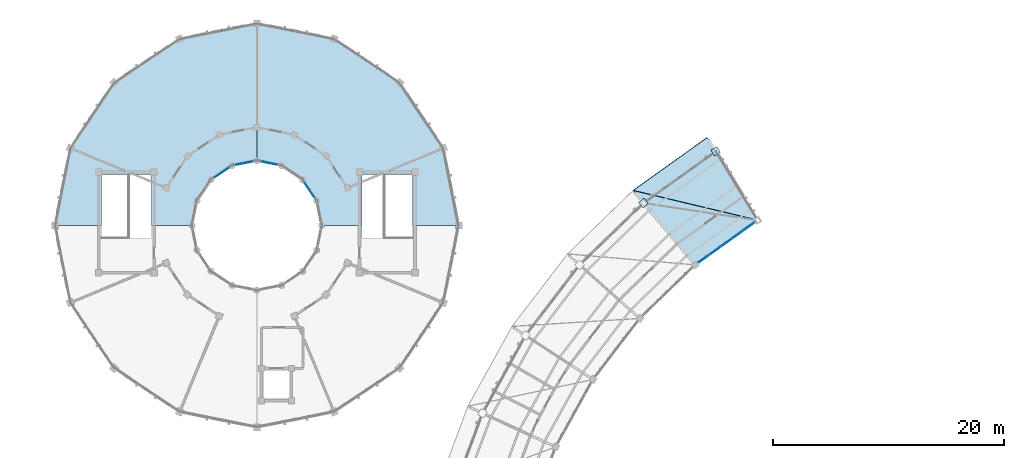
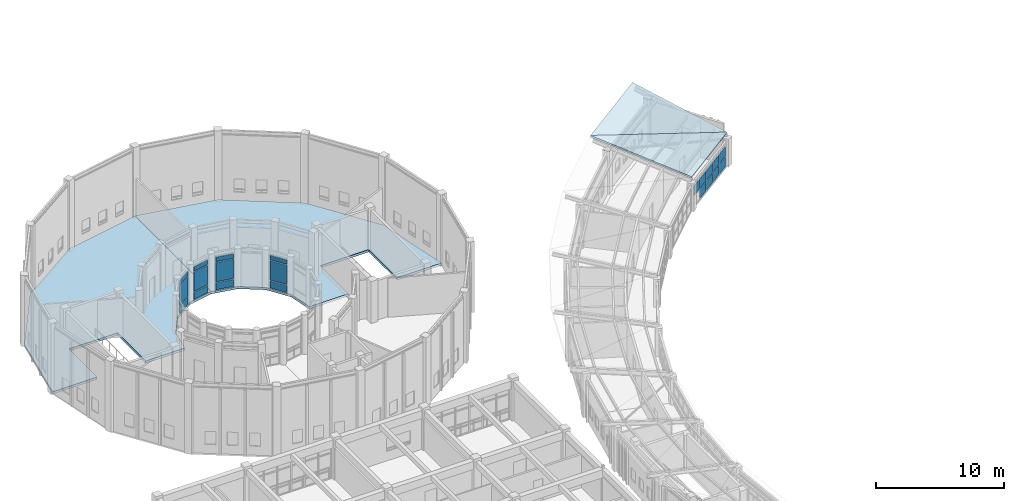
# One storey, part 108 of 149: 23 plates, 4 slabs, 5 elements without a shape of their own.
"""IFC4 building model written with IfcOpenShell, lengths in metres."""

import ifcopenshell
import ifcopenshell.guid

model = None  # the IFC model being written
_history = None  # IfcOwnerHistory: only IFC2X3 demands one
_inside = {}  # id of a spatial element -> (the spatial element, [elements in it])
_under = {}  # id of a project, library or spatial element -> (it, [spatial elements below it])
_declared = {}  # id of a project -> (the project, [libraries it declares])
_typed = {}  # id of a type object -> (the type object, [elements of that type])
_made_of = {}  # id of a material, layer set ... -> (it, [elements and type objects made of it])


def new_model(schema):
    """Start an empty IFC model of exactly this schema.

    Asked for "IFC4X3", IfcOpenShell would pick the latest addendum, in which some entities
    have other attributes; the version numbers below select the first issue.
    IFC2X3 requires an IfcOwnerHistory on every rooted entity: one is made here for all.
    """
    global model, _history
    if schema == "IFC4X3":
        model = ifcopenshell.file(schema_version=(4, 3, 0, 0))
    else:
        model = ifcopenshell.file(schema=schema)
    _inside.clear()
    _under.clear()
    _declared.clear()
    _typed.clear()
    _made_of.clear()
    _history = None
    if model.schema == "IFC2X3":
        org = make("IfcOrganization", Name="unknown")
        user = make(
            "IfcPersonAndOrganization",
            ThePerson=make("IfcPerson", FamilyName="unknown"),
            TheOrganization=org,
        )
        app = make(
            "IfcApplication",
            ApplicationDeveloper=org,
            Version="unknown",
            ApplicationFullName="unknown",
            ApplicationIdentifier="unknown",
        )
        _history = make(
            "IfcOwnerHistory",
            OwningUser=user,
            OwningApplication=app,
            ChangeAction="ADDED",
            CreationDate=0,
        )
    return model


def make(cls, **values):
    """One entity of the class cls with the attributes given. An attribute that is None is left unset."""
    return model.create_entity(
        cls, **{name: value for name, value in values.items() if value is not None}
    )


def rooted(cls, **values):
    """An entity with a GlobalId (a new one), such as an element, a storey or a relation."""
    return make(cls, GlobalId=ifcopenshell.guid.new(), OwnerHistory=_history, **values)


def si_unit(unit_type, name, prefix=None):
    """IfcSIUnit, for example si_unit("LENGTHUNIT", "METRE", prefix="MILLI")."""
    return make("IfcSIUnit", UnitType=unit_type, Prefix=prefix, Name=name)


def assignment(units):
    """IfcUnitAssignment: the units of a project."""
    return None if units is None else make("IfcUnitAssignment", Units=units)


def point(xyz):
    """IfcCartesianPoint."""
    return None if xyz is None else make("IfcCartesianPoint", Coordinates=xyz)


def direction(xyz):
    """IfcDirection."""
    return None if xyz is None else make("IfcDirection", DirectionRatios=xyz)


def frame(location, z_axis=None, x_axis=None):
    """IfcAxis2Placement3D, a coordinate frame: its origin and axes. An axis left out is left unset."""
    return make(
        "IfcAxis2Placement3D",
        Location=point(location),
        Axis=direction(z_axis),
        RefDirection=direction(x_axis),
    )


def frame_2d(location, x_axis=None):
    """IfcAxis2Placement2D, a coordinate frame in the plane: its origin and x axis."""
    return make(
        "IfcAxis2Placement2D", Location=point(location), RefDirection=direction(x_axis)
    )


def origin():
    """The frame at (0, 0, 0) with its axes left unset."""
    return frame((0.0, 0.0, 0.0))


def origin_2d():
    """The frame at (0, 0) in the plane with its x axis left unset."""
    return frame_2d((0.0, 0.0))


def place(relative_to, where):
    """IfcLocalPlacement: puts the frame where relative to a parent placement (None: the world)."""
    return make(
        "IfcLocalPlacement", PlacementRelTo=relative_to, RelativePlacement=where
    )


def context(
    kind, dimensions, precision=None, world=None, true_north=None, identifier=None
):
    """IfcGeometricRepresentationContext, for example the 3D "Model" context."""
    return make(
        "IfcGeometricRepresentationContext",
        ContextIdentifier=identifier,
        ContextType=kind,
        CoordinateSpaceDimension=dimensions,
        Precision=precision,
        WorldCoordinateSystem=world,
        TrueNorth=true_north,
    )


def subcontext(parent, identifier, kind, view, scale=None):
    """IfcGeometricRepresentationSubContext, for example "Body" below "Model"."""
    return make(
        "IfcGeometricRepresentationSubContext",
        ContextIdentifier=identifier,
        ContextType=kind,
        ParentContext=parent,
        TargetScale=scale,
        TargetView=view,
    )


def project(units=None, contexts=None):
    """IfcProject with its units and contexts."""
    return rooted(
        "IfcProject",
        Name="project",
        RepresentationContexts=contexts,
        UnitsInContext=assignment(units),
    )


def spatial(cls, under=None, at=None, **own):
    """A site, building, storey or space (cls), placed at a placement, below another one or the project."""
    s = rooted(cls, ObjectPlacement=at, **own)
    if under is not None:
        _under.setdefault(under.id(), (under, []))[1].append(s)
    return s


def polyline(points):
    """IfcPolyline through the points."""
    return make("IfcPolyline", Points=[point(p) for p in points])


def profile(cls, at=None, kind="AREA", **sizes):
    """A parametric profile (cls). Its sizes go by their IFC names, for example OverallWidth=200.0."""
    return make(cls, ProfileType=kind, Position=at, **sizes)


def rectangle(**sizes):
    """IfcRectangleProfileDef."""
    return profile("IfcRectangleProfileDef", **sizes)


def outline(outer, holes=None, kind="AREA"):
    """IfcArbitraryClosedProfileDef: a profile drawn as a closed curve; with holes, ...WithVoids."""
    if holes is None:
        return make("IfcArbitraryClosedProfileDef", ProfileType=kind, OuterCurve=outer)
    return make(
        "IfcArbitraryProfileDefWithVoids",
        ProfileType=kind,
        OuterCurve=outer,
        InnerCurves=holes,
    )


def extrude(swept, where, along, depth):
    """IfcExtrudedAreaSolid: the profile swept, set in the frame where, extruded along a direction by depth."""
    return make(
        "IfcExtrudedAreaSolid",
        SweptArea=swept,
        Position=where,
        ExtrudedDirection=direction(along),
        Depth=depth,
    )


def shape(context_of_items, identifier, shape_type, items):
    """IfcShapeRepresentation: the items that make up one representation, for example the "Body"."""
    return make(
        "IfcShapeRepresentation",
        ContextOfItems=context_of_items,
        RepresentationIdentifier=identifier,
        RepresentationType=shape_type,
        Items=items,
    )


def material(Name=None, Category=None):
    """IfcMaterial."""
    return make("IfcMaterial", Name=Name, Category=Category)


def layer(
    of_material, thickness, ventilated=None, Name=None, Category=None, Priority=None
):
    """IfcMaterialLayer: one layer of a wall or slab, of a material (None: an air gap)."""
    return make(
        "IfcMaterialLayer",
        Material=of_material,
        LayerThickness=thickness,
        IsVentilated=ventilated,
        Name=Name,
        Category=Category,
        Priority=Priority,
    )


def layer_set(layers, Name=None):
    """IfcMaterialLayerSet."""
    return make("IfcMaterialLayerSet", MaterialLayers=layers, LayerSetName=Name)


def made_of(thing, what):
    """Note that an element or type object is made of a material, layer set ...; save() writes the relation."""
    if what is not None:
        _made_of.setdefault(what.id(), (what, []))[1].append(thing)
    return thing


def type_object(cls, material=None, **own):
    """A type object (cls), such as IfcWallType, which elements share."""
    return made_of(rooted(cls, **own), material)


def element(
    cls,
    number,
    at=None,
    inside=None,
    cuts=None,
    type_object=None,
    material=None,
    context=None,
    identifier="Body",
    shape_type=None,
    held_by="IfcProductDefinitionShape",
    body=None,
    shapes=None,
    **own,
):
    """One element of the class cls, such as IfcWall. Its Tag is "e" and its number.

    at: its placement. inside: the storey or other place that contains it. cuts: it is an
    opening in that element (IfcRelVoidsElement). A single representation is given by context,
    identifier, shape_type and body (its items); several are given by shapes. held_by: the class
    of the entity that holds the representations. save() writes the other relations.
    """
    e = rooted(cls, Tag="e%d" % number, ObjectPlacement=at, **own)
    if body is not None:
        shapes = [shape(context, identifier, shape_type, body)]
    if shapes is not None:
        e.Representation = make(held_by, Representations=shapes)
    if inside is not None:
        _inside.setdefault(inside.id(), (inside, []))[1].append(e)
    if cuts is not None:
        rooted(
            "IfcRelVoidsElement", RelatingBuildingElement=cuts, RelatedOpeningElement=e
        )
    if type_object is not None:
        _typed.setdefault(type_object.id(), (type_object, []))[1].append(e)
    return made_of(e, material)


def aggregate(whole, parts):
    """IfcRelAggregates: a whole, such as a stair, and the parts it consists of."""
    return rooted("IfcRelAggregates", RelatingObject=whole, RelatedObjects=parts)


def save(model, path):
    """Write the relations noted so far, then the file.

    IfcRelAggregates (storeys below a building ...), IfcRelContainedInSpatialStructure (elements
    in a storey), IfcRelDefinesByType, IfcRelAssociatesMaterial and IfcRelDeclares: one each for
    every whole, place, type object, material and project.
    """
    for whole, parts in _under.values():
        aggregate(whole, parts)
    for where, things in _inside.values():
        rooted(
            "IfcRelContainedInSpatialStructure",
            RelatedElements=things,
            RelatingStructure=where,
        )
    for kind, things in _typed.values():
        rooted("IfcRelDefinesByType", RelatedObjects=things, RelatingType=kind)
    for what, things in _made_of.values():
        rooted("IfcRelAssociatesMaterial", RelatedObjects=things, RelatingMaterial=what)
    for by, libraries in _declared.values():
        rooted("IfcRelDeclares", RelatingContext=by, RelatedDefinitions=libraries)
    model.write(path)


model = new_model("IFC4")

# Units and contexts
model_context = context("Model", 3, precision=1e-05, world=origin(), true_north=direction((0.0, 1.0)))
body_context = subcontext(model_context, "Body", "Model", "MODEL_VIEW")
ifc_project = project(units=[si_unit("LENGTHUNIT", "METRE"), si_unit("AREAUNIT", "SQUARE_METRE"), si_unit("VOLUMEUNIT", "CUBIC_METRE"), si_unit("PLANEANGLEUNIT", "RADIAN"), si_unit("MASSUNIT", "GRAM", prefix="KILO")], contexts=[model_context])

# Site, building, storey
site_placement = place(None, origin())
site = spatial("IfcSite", under=ifc_project, at=site_placement, CompositionType="ELEMENT")
building_placement = place(site_placement, origin())
building = spatial("IfcBuilding", under=site, at=building_placement, Name="Celadon Cloister-Ring School", CompositionType="ELEMENT")
storey_placement = place(building_placement, frame((0.0, 0.0, 12.5)))
storey = spatial("IfcBuildingStorey", under=building, at=storey_placement, Name="L03", CompositionType="ELEMENT", Elevation=12.5)

# Curtain wall, plates
ifc_material_1 = material(Name="Aluminium EN AW-6063 T6", Category="aluminium")
curtain_wall_type_1 = type_object("IfcCurtainWallType", Name="CW-05", PredefinedType="USERDEFINED", material=ifc_material_1)
curtain_wall_1_placement = place(storey_placement, origin())
curtain_wall_1 = element("IfcCurtainWall", 1, at=curtain_wall_1_placement, inside=storey, type_object=curtain_wall_type_1, Name="Curtain Wall 0116", ObjectType="CURTAIN WALL", PredefinedType="USERDEFINED")
ifc_material_2 = material(Name="Tempered laminated insulating glass", Category="glass")
ifc_layer_1 = layer(ifc_material_2, 0.02001953125)
ifc_layer_set_1 = layer_set([ifc_layer_1], Name="Tempered laminated insulating glass")
plate_type_1 = type_object("IfcPlateType", Name="CPN-01", PredefinedType="CURTAIN_PANEL", material=ifc_layer_set_1)
plate_1_placement = place(storey_placement, frame((24.76708984375, 100.051513671875, 0.090087890625), z_axis=(0.0, 0.0, 1.0), x_axis=(-0.555547066224, 0.831485091394, 0.0)))
plate_1 = element("IfcPlate", 2, at=plate_1_placement, type_object=plate_type_1, Name="CW-05 panel 1.1", PredefinedType="CURTAIN_PANEL", context=body_context, shape_type="SweptSolid", body=[
    extrude(rectangle(XDim=1.4443359375, YDim=0.02001953125, at=origin_2d()), origin(), (0.0, 0.0, 1.0), 0.6650390625),
])
plate_2_placement = place(storey_placement, frame((24.76708984375, 100.051513671875, 0.844970703125), z_axis=(0.0, 0.0, 1.0), x_axis=(-0.555547066224, 0.831485091394, 0.0)))
plate_2 = element("IfcPlate", 3, at=plate_2_placement, type_object=plate_type_1, Name="CW-05 panel 1.2", PredefinedType="CURTAIN_PANEL", context=body_context, shape_type="SweptSolid", body=[
    extrude(rectangle(XDim=1.4443359375, YDim=0.02001953125, at=origin_2d()), origin(), (0.0, 0.0, 1.0), 1.8349609375),
])
plate_3_placement = place(storey_placement, frame((24.76708984375, 100.051513671875, 2.77001953125), z_axis=(0.0, 0.0, 1.0), x_axis=(-0.555547066224, 0.831485091394, 0.0)))
plate_3 = element("IfcPlate", 4, at=plate_3_placement, type_object=plate_type_1, Name="CW-05 panel 1.3", PredefinedType="CURTAIN_PANEL", context=body_context, shape_type="SweptSolid", body=[
    extrude(rectangle(XDim=1.4443359375, YDim=0.02001953125, at=origin_2d()), origin(), (0.0, 0.0, 1.0), 0.4150390625),
])
aggregate(curtain_wall_1, [plate_1, plate_2, plate_3])

curtain_wall_2_placement = place(storey_placement, origin())
curtain_wall_2 = element("IfcCurtainWall", 5, at=curtain_wall_2_placement, inside=storey, type_object=curtain_wall_type_1, Name="Curtain Wall 0117", ObjectType="CURTAIN WALL", PredefinedType="USERDEFINED")
plate_4_placement = place(storey_placement, frame((21.271484375, 102.386962890625, 0.090087890625), z_axis=(0.0, 0.0, 1.0), x_axis=(-0.980885435464, 0.194586131301, 0.0)))
plate_4 = element("IfcPlate", 6, at=plate_4_placement, type_object=plate_type_1, Name="CW-05 panel 1.1", PredefinedType="CURTAIN_PANEL", context=body_context, shape_type="SweptSolid", body=[
    extrude(rectangle(XDim=1.4443359375, YDim=0.02001953125, at=origin_2d()), origin(), (0.0, 0.0, 1.0), 0.6650390625),
])
plate_5_placement = place(storey_placement, frame((21.271484375, 102.386962890625, 0.844970703125), z_axis=(0.0, 0.0, 1.0), x_axis=(-0.980885435464, 0.194586131301, 0.0)))
plate_5 = element("IfcPlate", 7, at=plate_5_placement, type_object=plate_type_1, Name="CW-05 panel 1.2", PredefinedType="CURTAIN_PANEL", context=body_context, shape_type="SweptSolid", body=[
    extrude(rectangle(XDim=1.4443359375, YDim=0.02001953125, at=origin_2d()), origin(), (0.0, 0.0, 1.0), 1.8349609375),
])
plate_6_placement = place(storey_placement, frame((21.271484375, 102.386962890625, 2.77001953125), z_axis=(0.0, 0.0, 1.0), x_axis=(-0.980885435464, 0.194586131301, 0.0)))
plate_6 = element("IfcPlate", 8, at=plate_6_placement, type_object=plate_type_1, Name="CW-05 panel 1.3", PredefinedType="CURTAIN_PANEL", context=body_context, shape_type="SweptSolid", body=[
    extrude(rectangle(XDim=1.4443359375, YDim=0.02001953125, at=origin_2d()), origin(), (0.0, 0.0, 1.0), 0.4150390625),
])
aggregate(curtain_wall_2, [plate_4, plate_5, plate_6])

curtain_wall_3_placement = place(storey_placement, origin())
curtain_wall_3 = element("IfcCurtainWall", 9, at=curtain_wall_3_placement, inside=storey, type_object=curtain_wall_type_1, Name="Curtain Wall 0118", ObjectType="CURTAIN WALL", PredefinedType="USERDEFINED")
plate_7_placement = place(storey_placement, frame((19.12841796875, 102.386962890625, 0.090087890625), z_axis=(0.0, 0.0, 1.0), x_axis=(-0.980885435464, -0.194586131301, 0.0)))
plate_7 = element("IfcPlate", 10, at=plate_7_placement, type_object=plate_type_1, Name="CW-05 panel 1.1", PredefinedType="CURTAIN_PANEL", context=body_context, shape_type="SweptSolid", body=[
    extrude(rectangle(XDim=1.4443359375, YDim=0.02001953125, at=origin_2d()), origin(), (0.0, 0.0, 1.0), 0.6650390625),
])
plate_8_placement = place(storey_placement, frame((19.12841796875, 102.386962890625, 0.844970703125), z_axis=(0.0, 0.0, 1.0), x_axis=(-0.980885435464, -0.194586131301, 0.0)))
plate_8 = element("IfcPlate", 11, at=plate_8_placement, type_object=plate_type_1, Name="CW-05 panel 1.2", PredefinedType="CURTAIN_PANEL", context=body_context, shape_type="SweptSolid", body=[
    extrude(rectangle(XDim=1.4443359375, YDim=0.02001953125, at=origin_2d()), origin(), (0.0, 0.0, 1.0), 1.8349609375),
])
plate_9_placement = place(storey_placement, frame((19.12841796875, 102.386962890625, 2.77001953125), z_axis=(0.0, 0.0, 1.0), x_axis=(-0.980885435464, -0.194586131301, 0.0)))
plate_9 = element("IfcPlate", 12, at=plate_9_placement, type_object=plate_type_1, Name="CW-05 panel 1.3", PredefinedType="CURTAIN_PANEL", context=body_context, shape_type="SweptSolid", body=[
    extrude(rectangle(XDim=1.4443359375, YDim=0.02001953125, at=origin_2d()), origin(), (0.0, 0.0, 1.0), 0.4150390625),
])
aggregate(curtain_wall_3, [plate_7, plate_8, plate_9])

curtain_wall_4_placement = place(storey_placement, origin())
curtain_wall_4 = element("IfcCurtainWall", 13, at=curtain_wall_4_placement, inside=storey, type_object=curtain_wall_type_1, Name="Curtain Wall 0119", ObjectType="CURTAIN WALL", PredefinedType="USERDEFINED")
plate_10_placement = place(storey_placement, frame((17.1484375, 101.56689453125, 0.090087890625), z_axis=(0.0, 0.0, 1.0), x_axis=(-0.831485091394, -0.555547066224, 0.0)))
plate_10 = element("IfcPlate", 14, at=plate_10_placement, type_object=plate_type_1, Name="CW-05 panel 1.1", PredefinedType="CURTAIN_PANEL", context=body_context, shape_type="SweptSolid", body=[
    extrude(rectangle(XDim=1.4443359375, YDim=0.02001953125, at=origin_2d()), origin(), (0.0, 0.0, 1.0), 0.6650390625),
])
plate_11_placement = place(storey_placement, frame((17.1484375, 101.56689453125, 0.844970703125), z_axis=(0.0, 0.0, 1.0), x_axis=(-0.831485091394, -0.555547066224, 0.0)))
plate_11 = element("IfcPlate", 15, at=plate_11_placement, type_object=plate_type_1, Name="CW-05 panel 1.2", PredefinedType="CURTAIN_PANEL", context=body_context, shape_type="SweptSolid", body=[
    extrude(rectangle(XDim=1.4443359375, YDim=0.02001953125, at=origin_2d()), origin(), (0.0, 0.0, 1.0), 1.8349609375),
])
plate_12_placement = place(storey_placement, frame((17.1484375, 101.56689453125, 2.77001953125), z_axis=(0.0, 0.0, 1.0), x_axis=(-0.831485091394, -0.555547066224, 0.0)))
plate_12 = element("IfcPlate", 16, at=plate_12_placement, type_object=plate_type_1, Name="CW-05 panel 1.3", PredefinedType="CURTAIN_PANEL", context=body_context, shape_type="SweptSolid", body=[
    extrude(rectangle(XDim=1.4443359375, YDim=0.02001953125, at=origin_2d()), origin(), (0.0, 0.0, 1.0), 0.4150390625),
])
aggregate(curtain_wall_4, [plate_10, plate_11, plate_12])

ifc_material_3 = material(Name="Aluminium EN AW-6063 T6", Category="aluminium")
curtain_wall_type_2 = type_object("IfcCurtainWallType", Name="CW-02", PredefinedType="USERDEFINED", material=ifc_material_3)
curtain_wall_5_placement = place(storey_placement, origin())
curtain_wall_5 = element("IfcCurtainWall", 17, at=curtain_wall_5_placement, inside=storey, type_object=curtain_wall_type_2, Name="Curtain Wall 0044", ObjectType="CURTAIN WALL", PredefinedType="USERDEFINED")
ifc_material_4 = material(Name="Tempered laminated insulating glass", Category="glass")
ifc_layer_2 = layer(ifc_material_4, 0.035888671875)
ifc_layer_set_2 = layer_set([ifc_layer_2], Name="Tempered laminated insulating glass")
plate_type_2 = type_object("IfcPlateType", Name="CPN-03", PredefinedType="CURTAIN_PANEL", material=ifc_layer_set_2)
plate_13_placement = place(storey_placement, frame((62.867919921875, 96.9130859375, 0.074951171875), z_axis=(0.0, 0.0, 1.0), x_axis=(-0.813445783279, -0.581640746221, 0.0)))
plate_13 = element("IfcPlate", 18, at=plate_13_placement, type_object=plate_type_2, Name="CW-02 panel 1.1", PredefinedType="CURTAIN_PANEL", context=body_context, shape_type="SweptSolid", body=[
    extrude(rectangle(XDim=1.101806640625, YDim=0.035888671875, at=origin_2d()), origin(), (0.0, 0.0, 1.0), 0.8974609375),
])
plate_14_placement = place(storey_placement, frame((62.867919921875, 96.9130859375, 1.047607421875), z_axis=(0.0, 0.0, 1.0), x_axis=(-0.813445783279, -0.581640746221, 0.0)))
plate_14 = element("IfcPlate", 19, at=plate_14_placement, type_object=plate_type_2, Name="CW-02 panel 1.2", PredefinedType="CURTAIN_PANEL", context=body_context, shape_type="SweptSolid", body=[
    extrude(rectangle(XDim=1.101806640625, YDim=0.035888671875, at=origin_2d()), origin(), (0.0, 0.0, 1.0), 0.8974609375),
])
plate_15_placement = place(storey_placement, frame((61.890380859375, 96.214111328125, 0.074951171875), z_axis=(0.0, 0.0, 1.0), x_axis=(-0.813445783279, -0.581640746221, 0.0)))
plate_15 = element("IfcPlate", 20, at=plate_15_placement, type_object=plate_type_2, Name="CW-02 panel 2.1", PredefinedType="CURTAIN_PANEL", context=body_context, shape_type="SweptSolid", body=[
    extrude(rectangle(XDim=1.1416015625, YDim=0.035888671875, at=origin_2d()), origin(), (0.0, 0.0, 1.0), 0.8974609375),
])
plate_16_placement = place(storey_placement, frame((61.890380859375, 96.214111328125, 1.047607421875), z_axis=(0.0, 0.0, 1.0), x_axis=(-0.813445783279, -0.581640746221, 0.0)))
plate_16 = element("IfcPlate", 21, at=plate_16_placement, type_object=plate_type_2, Name="CW-02 panel 2.2", PredefinedType="CURTAIN_PANEL", context=body_context, shape_type="SweptSolid", body=[
    extrude(rectangle(XDim=1.1416015625, YDim=0.035888671875, at=origin_2d()), origin(), (0.0, 0.0, 1.0), 0.8974609375),
])
plate_17_placement = place(storey_placement, frame((60.896484375, 95.50341796875, 0.074951171875), z_axis=(0.0, 0.0, 1.0), x_axis=(-0.813445783279, -0.581640746221, 0.0)))
plate_17 = element("IfcPlate", 22, at=plate_17_placement, type_object=plate_type_2, Name="CW-02 panel 3.1", PredefinedType="CURTAIN_PANEL", context=body_context, shape_type="SweptSolid", body=[
    extrude(rectangle(XDim=1.1416015625, YDim=0.035888671875, at=origin_2d()), origin(), (0.0, 0.0, 1.0), 0.8974609375),
])
plate_18_placement = place(storey_placement, frame((60.896484375, 95.50341796875, 1.047607421875), z_axis=(0.0, 0.0, 1.0), x_axis=(-0.813445783279, -0.581640746221, 0.0)))
plate_18 = element("IfcPlate", 23, at=plate_18_placement, type_object=plate_type_2, Name="CW-02 panel 3.2", PredefinedType="CURTAIN_PANEL", context=body_context, shape_type="SweptSolid", body=[
    extrude(rectangle(XDim=1.1416015625, YDim=0.035888671875, at=origin_2d()), origin(), (0.0, 0.0, 1.0), 0.8974609375),
])
plate_19_placement = place(storey_placement, frame((59.902587890625, 94.79296875, 0.074951171875), z_axis=(0.0, 0.0, 1.0), x_axis=(-0.813445783279, -0.581640746221, 0.0)))
plate_19 = element("IfcPlate", 24, at=plate_19_placement, type_object=plate_type_2, Name="CW-02 panel 4.1", PredefinedType="CURTAIN_PANEL", context=body_context, shape_type="SweptSolid", body=[
    extrude(rectangle(XDim=1.1416015625, YDim=0.035888671875, at=origin_2d()), origin(), (0.0, 0.0, 1.0), 0.8974609375),
])
plate_20_placement = place(storey_placement, frame((59.902587890625, 94.79296875, 1.047607421875), z_axis=(0.0, 0.0, 1.0), x_axis=(-0.813445783279, -0.581640746221, 0.0)))
plate_20 = element("IfcPlate", 25, at=plate_20_placement, type_object=plate_type_2, Name="CW-02 panel 4.2", PredefinedType="CURTAIN_PANEL", context=body_context, shape_type="SweptSolid", body=[
    extrude(rectangle(XDim=1.1416015625, YDim=0.035888671875, at=origin_2d()), origin(), (0.0, 0.0, 1.0), 0.8974609375),
])
plate_21_placement = place(storey_placement, frame((58.925048828125, 94.093994140625, 1.047607421875), z_axis=(0.0, 0.0, 1.0), x_axis=(-0.813445783279, -0.581640746221, 0.0)))
plate_21 = element("IfcPlate", 26, at=plate_21_placement, type_object=plate_type_2, Name="CW-02 panel 5.2", PredefinedType="CURTAIN_PANEL", context=body_context, shape_type="SweptSolid", body=[
    extrude(rectangle(XDim=1.101806640625, YDim=0.035888671875, at=origin_2d()), origin(), (0.0, 0.0, 1.0), 0.8974609375),
])
aggregate(curtain_wall_5, [plate_13, plate_14, plate_15, plate_16, plate_17, plate_18, plate_19, plate_20, plate_21])

# Plates
ifc_material_5 = material(Name="Structural steel S355JR", Category="steel")
ifc_layer_3 = layer(ifc_material_5, 0.02001953125)
ifc_layer_set_3 = layer_set([ifc_layer_3], Name="Structural steel S355JR")
plate_type_3 = type_object("IfcPlateType", Name="PT-01", PredefinedType="SHEET", material=ifc_layer_set_3)
for number, where, z_axis, x_axis, name in (
    (27, (59.968994140625, 103.422119140625, 4.0390625), (0.0, 0.0, 1.0), (-0.519817342621, 0.854277431699, 0.0), "Gusset Plate 0005"),
    (28, (53.702880859375, 98.94091796875, 4.041015625), (0.0, 0.0, 1.0), (-0.640324219757, 0.76810474129, 0.0), "Gusset Plate 0006"),
):
    element("IfcPlate", number, at=place(storey_placement, frame(where, z_axis=z_axis, x_axis=x_axis)), inside=storey, type_object=plate_type_3, Name=name, PredefinedType="SHEET", context=body_context, shape_type="SweptSolid", body=[
        extrude(rectangle(XDim=0.60009765625, YDim=0.60009765625, at=origin_2d()), origin(), (0.0, 0.0, 1.0), 0.02001953125),
    ])

# Slabs
ifc_material_6 = material(Name="Concrete C35/45", Category="concrete")
ifc_layer_4 = layer(ifc_material_6, 0.219970703125)
ifc_layer_set_4 = layer_set([ifc_layer_4], Name="Concrete C35/45")
slab_type_1 = type_object("IfcSlabType", Name="SL-FL2", PredefinedType="FLOOR", material=ifc_layer_set_4)
slab_1_placement = place(storey_placement, frame((0.0, 0.0, -0.219970703125)))
element("IfcSlab", 29, at=slab_1_placement, inside=storey, type_object=slab_type_1, Name="V3 Ring L03 Sector 0041", PredefinedType="FLOOR", context=body_context, shape_type="SweptSolid", body=[
    extrude(outline(polyline([(25.800048828125, 97.0), (25.3740234375, 99.14306640625), (24.159912109375, 100.9599609375), (22.343017578125, 102.174072265625), (20.199951171875, 102.60009765625), (20.199951171875, 114.5), (26.89697265625, 113.16796875), (32.573974609375, 109.3740234375), (36.367919921875, 103.697021484375), (37.699951171875, 97.0), (33.679931640625, 97.0), (33.679931640625, 101.39990234375), (29.320068359375, 101.39990234375), (29.320068359375, 97.0), (25.800048828125, 97.0)])), origin(), (0.0, 0.0, 1.0), 0.219970703125),
])
slab_2_placement = place(storey_placement, frame((0.0, 0.0, -0.219970703125)))
element("IfcSlab", 30, at=slab_2_placement, inside=storey, type_object=slab_type_1, Name="V3 Ring L03 Sector 0042", PredefinedType="FLOOR", context=body_context, shape_type="SweptSolid", body=[
    extrude(outline(polyline([(2.699951171875, 97.0), (4.031982421875, 103.697021484375), (7.825927734375, 109.3740234375), (13.5029296875, 113.16796875), (20.199951171875, 114.5), (20.199951171875, 102.60009765625), (18.056884765625, 102.174072265625), (16.239990234375, 100.9599609375), (15.02587890625, 99.14306640625), (14.60009765625, 97.0), (11.080078125, 97.0), (11.080078125, 101.39990234375), (6.719970703125, 101.39990234375), (6.719970703125, 97.0), (2.699951171875, 97.0)])), origin(), (0.0, 0.0, 1.0), 0.219970703125),
])
ifc_material_7 = material(Name="Concrete C35/45", Category="concrete")
ifc_layer_5 = layer(ifc_material_7, 0.179931640625)
ifc_layer_set_5 = layer_set([ifc_layer_5], Name="Concrete C35/45")
slab_type_2 = type_object("IfcSlabType", Name="SL-RF1", PredefinedType="ROOF", material=ifc_layer_set_5)
slab_3_placement = place(storey_placement, frame((63.60791015625, 97.44189453125, 3.10009765625), z_axis=(0.12864395468, -0.17993087596, 0.975231056109), x_axis=(-0.50696285495, 0.833258356849, 0.220610911884)))
element("IfcSlab", 31, at=slab_3_placement, inside=storey, type_object=slab_type_2, Name="Conical Upper Roof Inner Tri 0003", PredefinedType="ROOF", context=body_context, shape_type="SweptSolid", body=[
    extrude(outline(polyline([(0.0, 0.0), (8.612005306204612, -5.967448757360216e-16), (8.04066087161937, 7.8899418280392855), (0.0, 0.0)])), origin(), (0.0, 0.0, -1.0), 0.179931640625),
])
slab_4_placement = place(storey_placement, frame((63.60791015625, 97.44189453125, 3.10009765625), z_axis=(0.128642285384, -0.179937181545, 0.975230112901), x_axis=(-0.958800699363, 0.22859857998, 0.168653218563)))
element("IfcSlab", 32, at=slab_4_placement, inside=storey, type_object=slab_type_2, Name="Conical Upper Roof Outer Tri 0004", PredefinedType="ROOF", context=body_context, shape_type="SweptSolid", body=[
    extrude(outline(polyline([(0.0, 0.0), (11.265141335209012, 1.6653345369377348e-16), (4.313167891645386, 5.082781457119247), (0.0, 0.0)])), origin(), (0.0, 0.0, -1.0), 0.179931640625),
])

save(model, "model.ifc")
